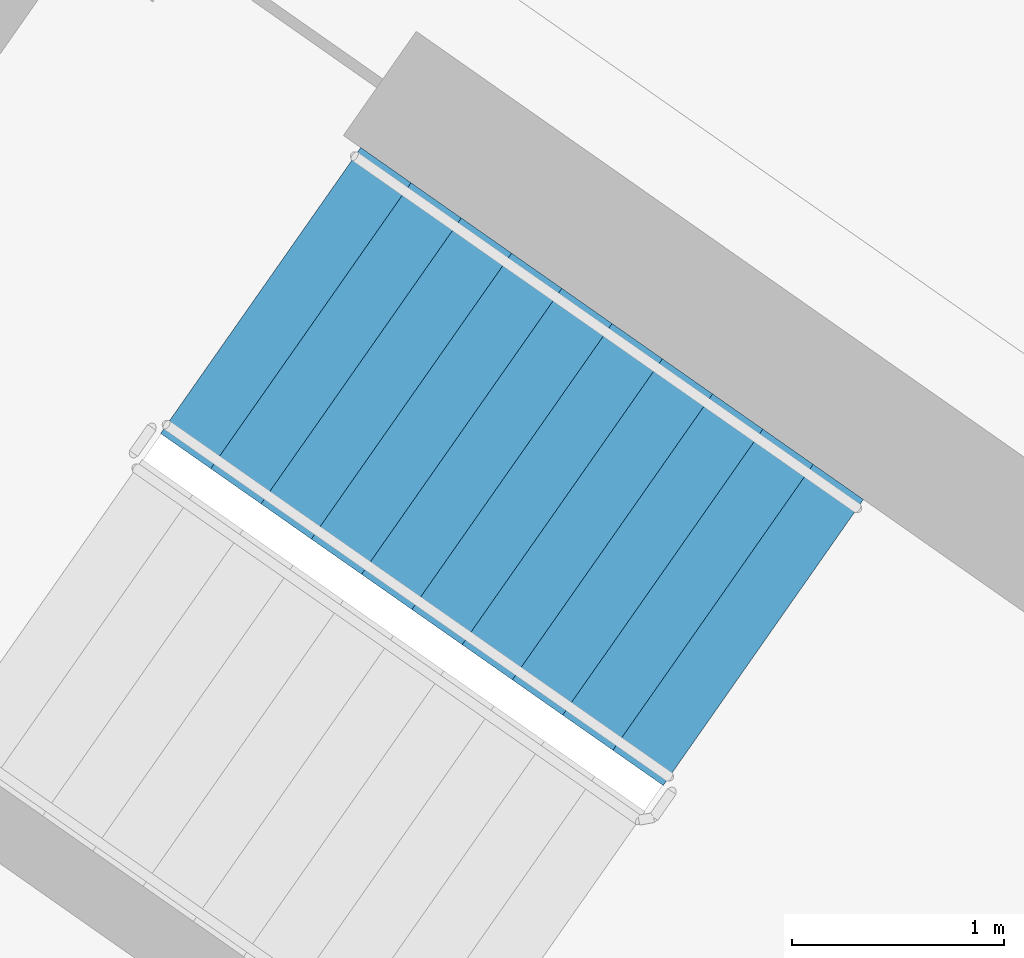
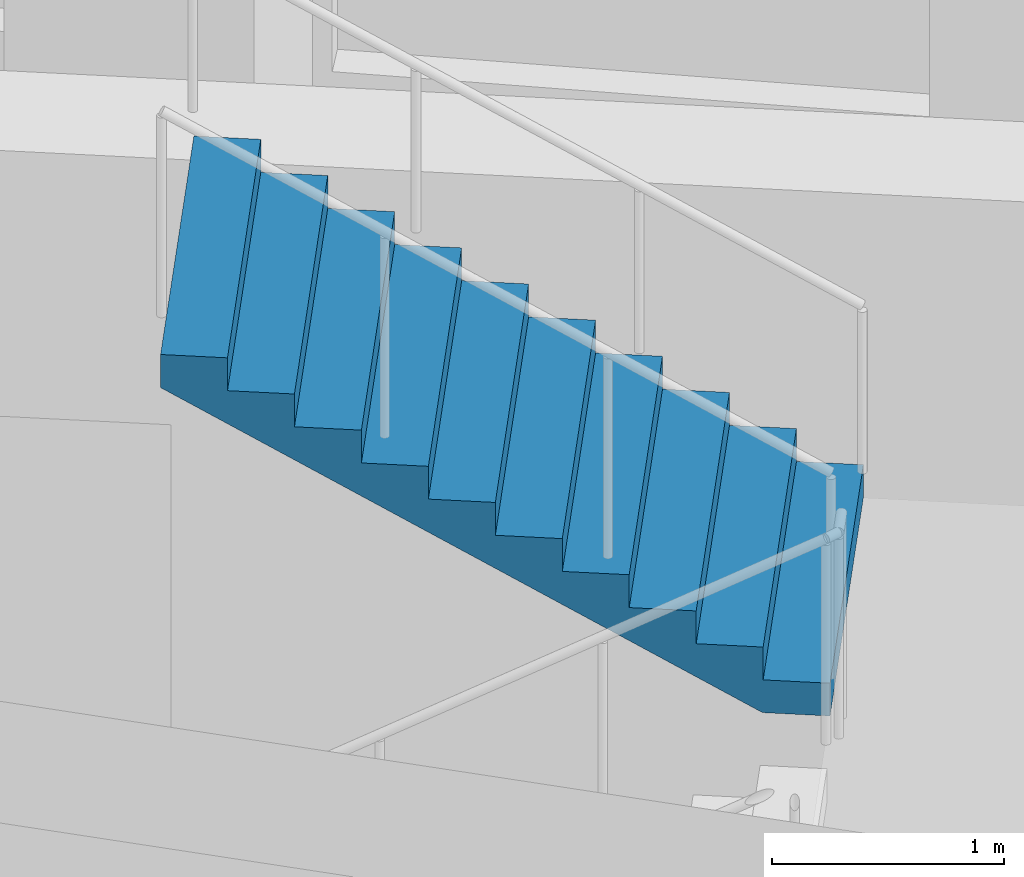
# One storey, part 13 of 27: 1 stair flight, 1 element without a shape of its own.
"""IFC4 building model written with IfcOpenShell, lengths in metres."""

import ifcopenshell
import ifcopenshell.guid

model = None  # the IFC model being written
_history = None  # IfcOwnerHistory: only IFC2X3 demands one
_inside = {}  # id of a spatial element -> (the spatial element, [elements in it])
_under = {}  # id of a project, library or spatial element -> (it, [spatial elements below it])
_declared = {}  # id of a project -> (the project, [libraries it declares])
_typed = {}  # id of a type object -> (the type object, [elements of that type])
_made_of = {}  # id of a material, layer set ... -> (it, [elements and type objects made of it])


def new_model(schema):
    """Start an empty IFC model of exactly this schema.

    Asked for "IFC4X3", IfcOpenShell would pick the latest addendum, in which some entities
    have other attributes; the version numbers below select the first issue.
    IFC2X3 requires an IfcOwnerHistory on every rooted entity: one is made here for all.
    """
    global model, _history
    if schema == "IFC4X3":
        model = ifcopenshell.file(schema_version=(4, 3, 0, 0))
    else:
        model = ifcopenshell.file(schema=schema)
    _inside.clear()
    _under.clear()
    _declared.clear()
    _typed.clear()
    _made_of.clear()
    _history = None
    if model.schema == "IFC2X3":
        org = make("IfcOrganization", Name="unknown")
        user = make(
            "IfcPersonAndOrganization",
            ThePerson=make("IfcPerson", FamilyName="unknown"),
            TheOrganization=org,
        )
        app = make(
            "IfcApplication",
            ApplicationDeveloper=org,
            Version="unknown",
            ApplicationFullName="unknown",
            ApplicationIdentifier="unknown",
        )
        _history = make(
            "IfcOwnerHistory",
            OwningUser=user,
            OwningApplication=app,
            ChangeAction="ADDED",
            CreationDate=0,
        )
    return model


def make(cls, **values):
    """One entity of the class cls with the attributes given. An attribute that is None is left unset."""
    return model.create_entity(
        cls, **{name: value for name, value in values.items() if value is not None}
    )


def rooted(cls, **values):
    """An entity with a GlobalId (a new one), such as an element, a storey or a relation."""
    return make(cls, GlobalId=ifcopenshell.guid.new(), OwnerHistory=_history, **values)


def si_unit(unit_type, name, prefix=None):
    """IfcSIUnit, for example si_unit("LENGTHUNIT", "METRE", prefix="MILLI")."""
    return make("IfcSIUnit", UnitType=unit_type, Prefix=prefix, Name=name)


def assignment(units):
    """IfcUnitAssignment: the units of a project."""
    return None if units is None else make("IfcUnitAssignment", Units=units)


def point(xyz):
    """IfcCartesianPoint."""
    return None if xyz is None else make("IfcCartesianPoint", Coordinates=xyz)


def direction(xyz):
    """IfcDirection."""
    return None if xyz is None else make("IfcDirection", DirectionRatios=xyz)


def frame(location, z_axis=None, x_axis=None):
    """IfcAxis2Placement3D, a coordinate frame: its origin and axes. An axis left out is left unset."""
    return make(
        "IfcAxis2Placement3D",
        Location=point(location),
        Axis=direction(z_axis),
        RefDirection=direction(x_axis),
    )


def origin():
    """The frame at (0, 0, 0) with its axes left unset."""
    return frame((0.0, 0.0, 0.0))


def place(relative_to, where):
    """IfcLocalPlacement: puts the frame where relative to a parent placement (None: the world)."""
    return make(
        "IfcLocalPlacement", PlacementRelTo=relative_to, RelativePlacement=where
    )


def context(
    kind, dimensions, precision=None, world=None, true_north=None, identifier=None
):
    """IfcGeometricRepresentationContext, for example the 3D "Model" context."""
    return make(
        "IfcGeometricRepresentationContext",
        ContextIdentifier=identifier,
        ContextType=kind,
        CoordinateSpaceDimension=dimensions,
        Precision=precision,
        WorldCoordinateSystem=world,
        TrueNorth=true_north,
    )


def subcontext(parent, identifier, kind, view, scale=None):
    """IfcGeometricRepresentationSubContext, for example "Body" below "Model"."""
    return make(
        "IfcGeometricRepresentationSubContext",
        ContextIdentifier=identifier,
        ContextType=kind,
        ParentContext=parent,
        TargetScale=scale,
        TargetView=view,
    )


def project(units=None, contexts=None):
    """IfcProject with its units and contexts."""
    return rooted(
        "IfcProject",
        Name="project",
        RepresentationContexts=contexts,
        UnitsInContext=assignment(units),
    )


def spatial(cls, under=None, at=None, **own):
    """A site, building, storey or space (cls), placed at a placement, below another one or the project."""
    s = rooted(cls, ObjectPlacement=at, **own)
    if under is not None:
        _under.setdefault(under.id(), (under, []))[1].append(s)
    return s


def faces_of(points, faces, orient=None, outer=None):
    """IfcFace entities. A face is a list of loops; a loop is a list of indices into points, from 0.

    orient and outer hold one flag for each loop. By default every Orientation is true, the
    first loop of a face is its IfcFaceOuterBound and the others are IfcFaceBound.
    """
    made = []
    for i, loops in enumerate(faces):
        bounds = []
        for j, loop in enumerate(loops):
            is_outer = j == 0 if outer is None else outer[i][j]
            bounds.append(
                make(
                    "IfcFaceOuterBound" if is_outer else "IfcFaceBound",
                    Bound=make("IfcPolyLoop", Polygon=[points[k] for k in loop]),
                    Orientation=True if orient is None else orient[i][j],
                )
            )
        made.append(make("IfcFace", Bounds=bounds))
    return made


def faceted_brep(points, faces, orient=None, outer=None, voids=None):
    """IfcFacetedBrep: a solid bounded by flat faces; with voids (closed shells), ...WithVoids."""
    shared = [point(p) for p in points]
    hull = make("IfcClosedShell", CfsFaces=faces_of(shared, faces, orient, outer))
    if voids is None:
        return make("IfcFacetedBrep", Outer=hull)
    return make(
        "IfcFacetedBrepWithVoids",
        Outer=hull,
        Voids=[
            make(cls, CfsFaces=faces_of(shared, fs, o, b)) for cls, fs, o, b in voids
        ],
    )


def shape(context_of_items, identifier, shape_type, items):
    """IfcShapeRepresentation: the items that make up one representation, for example the "Body"."""
    return make(
        "IfcShapeRepresentation",
        ContextOfItems=context_of_items,
        RepresentationIdentifier=identifier,
        RepresentationType=shape_type,
        Items=items,
    )


def material(Name=None, Category=None):
    """IfcMaterial."""
    return make("IfcMaterial", Name=Name, Category=Category)


def made_of(thing, what):
    """Note that an element or type object is made of a material, layer set ...; save() writes the relation."""
    if what is not None:
        _made_of.setdefault(what.id(), (what, []))[1].append(thing)
    return thing


def type_object(cls, material=None, **own):
    """A type object (cls), such as IfcWallType, which elements share."""
    return made_of(rooted(cls, **own), material)


def element(
    cls,
    number,
    at=None,
    inside=None,
    cuts=None,
    type_object=None,
    material=None,
    context=None,
    identifier="Body",
    shape_type=None,
    held_by="IfcProductDefinitionShape",
    body=None,
    shapes=None,
    **own,
):
    """One element of the class cls, such as IfcWall. Its Tag is "e" and its number.

    at: its placement. inside: the storey or other place that contains it. cuts: it is an
    opening in that element (IfcRelVoidsElement). A single representation is given by context,
    identifier, shape_type and body (its items); several are given by shapes. held_by: the class
    of the entity that holds the representations. save() writes the other relations.
    """
    e = rooted(cls, Tag="e%d" % number, ObjectPlacement=at, **own)
    if body is not None:
        shapes = [shape(context, identifier, shape_type, body)]
    if shapes is not None:
        e.Representation = make(held_by, Representations=shapes)
    if inside is not None:
        _inside.setdefault(inside.id(), (inside, []))[1].append(e)
    if cuts is not None:
        rooted(
            "IfcRelVoidsElement", RelatingBuildingElement=cuts, RelatedOpeningElement=e
        )
    if type_object is not None:
        _typed.setdefault(type_object.id(), (type_object, []))[1].append(e)
    return made_of(e, material)


def aggregate(whole, parts):
    """IfcRelAggregates: a whole, such as a stair, and the parts it consists of."""
    return rooted("IfcRelAggregates", RelatingObject=whole, RelatedObjects=parts)


def save(model, path):
    """Write the relations noted so far, then the file.

    IfcRelAggregates (storeys below a building ...), IfcRelContainedInSpatialStructure (elements
    in a storey), IfcRelDefinesByType, IfcRelAssociatesMaterial and IfcRelDeclares: one each for
    every whole, place, type object, material and project.
    """
    for whole, parts in _under.values():
        aggregate(whole, parts)
    for where, things in _inside.values():
        rooted(
            "IfcRelContainedInSpatialStructure",
            RelatedElements=things,
            RelatingStructure=where,
        )
    for kind, things in _typed.values():
        rooted("IfcRelDefinesByType", RelatedObjects=things, RelatingType=kind)
    for what, things in _made_of.values():
        rooted("IfcRelAssociatesMaterial", RelatedObjects=things, RelatingMaterial=what)
    for by, libraries in _declared.values():
        rooted("IfcRelDeclares", RelatingContext=by, RelatedDefinitions=libraries)
    model.write(path)


model = new_model("IFC4")

# Units and contexts
model_context = context("Model", 3, precision=1e-05, world=origin(), true_north=direction((0.0, 1.0)))
body_context = subcontext(model_context, "Body", "Model", "MODEL_VIEW")
ifc_project = project(units=[si_unit("LENGTHUNIT", "METRE"), si_unit("AREAUNIT", "SQUARE_METRE"), si_unit("VOLUMEUNIT", "CUBIC_METRE"), si_unit("PLANEANGLEUNIT", "RADIAN"), si_unit("MASSUNIT", "GRAM", prefix="KILO")], contexts=[model_context])

# Site, building, storey
site_placement = place(None, origin())
site = spatial("IfcSite", under=ifc_project, at=site_placement, CompositionType="ELEMENT")
building_placement = place(site_placement, origin())
building = spatial("IfcBuilding", under=site, at=building_placement, Name="Qamariyya Broadcast Tower", CompositionType="ELEMENT")
storey_placement = place(building_placement, frame((0.0, 0.0, 175.89990234375)))
storey = spatial("IfcBuildingStorey", under=building, at=storey_placement, Name="L41", CompositionType="ELEMENT", Elevation=175.89990234375)

# Stair, stair flight
ifc_material = material(Name="Concrete C50/60", Category="concrete")
stair_type = type_object("IfcStairType", Name="Exit stair 22 risers of 173 mm", PredefinedType="HALF_TURN_STAIR", material=ifc_material)
stair_placement = place(storey_placement, origin())
stair = element("IfcStair", 1, at=stair_placement, inside=storey, type_object=stair_type, Name="L41 Stair W2", PredefinedType="HALF_TURN_STAIR")
stair_flight_type = type_object("IfcStairFlightType", Name="Exit stair flight 11 risers of 173 mm", PredefinedType="STRAIGHT", material=ifc_material)
stair_flight_placement = place(storey_placement, frame((-38.18310546875, -49.3486328125, 1.900146484375), z_axis=(0.0, 0.0, 1.0), x_axis=(-0.819152044289, 0.573576436351, 0.0)))
stair_flight = element("IfcStairFlight", 2, at=stair_flight_placement, type_object=stair_flight_type, Name="ST-W2 flight 2", NumberOfRisers=11, NumberOfTreads=10, PredefinedType="STRAIGHT", RiserHeight=0.172727273, TreadLength=0.29, context=body_context, shape_type="Brep", body=[
    faceted_brep([(0.0, 0.824951171875, 0.0), (0.0, 0.824951171875, 0.172607421875), (0.2900390625, 0.824951171875, 0.172607421875), (0.2900390625, 0.824951171875, 0.345458984375), (0.580078125, 0.824951171875, 0.345458984375), (0.580078125, 0.824951171875, 0.51806640625), (0.8701171875, 0.824951171875, 0.51806640625), (0.8701171875, 0.824951171875, 0.69091796875), (1.159912109375, 0.824951171875, 0.69091796875), (1.159912109375, 0.824951171875, 0.863525390625), (1.449951171875, 0.824951171875, 0.863525390625), (1.449951171875, 0.824951171875, 1.036376953125), (1.739990234375, 0.824951171875, 1.036376953125), (1.739990234375, 0.824951171875, 1.208984375), (2.030029296875, 0.824951171875, 1.208984375), (2.030029296875, 0.824951171875, 1.3818359375), (2.320068359375, 0.824951171875, 1.3818359375), (2.320068359375, 0.824951171875, 1.554443359375), (2.610107421875, 0.824951171875, 1.554443359375), (2.610107421875, 0.824951171875, 1.727294921875), (2.89990234375, 0.824951171875, 1.727294921875), (2.89990234375, 0.824951171875, 1.552734375), (0.29296875, 0.824951171875, 0.0), (0.29296875, -0.824951171875, 0.0), (2.89990234375, -0.824951171875, 1.552734375), (2.89990234375, -0.824951171875, 1.727294921875), (2.610107421875, -0.824951171875, 1.727294921875), (2.610107421875, -0.824951171875, 1.554443359375), (2.320068359375, -0.824951171875, 1.554443359375), (2.320068359375, -0.824951171875, 1.3818359375), (2.030029296875, -0.824951171875, 1.3818359375), (2.030029296875, -0.824951171875, 1.208984375), (1.739990234375, -0.824951171875, 1.208984375), (1.739990234375, -0.824951171875, 1.036376953125), (1.449951171875, -0.824951171875, 1.036376953125), (1.449951171875, -0.824951171875, 0.863525390625), (1.159912109375, -0.824951171875, 0.863525390625), (1.159912109375, -0.824951171875, 0.69091796875), (0.8701171875, -0.824951171875, 0.69091796875), (0.8701171875, -0.824951171875, 0.51806640625), (0.580078125, -0.824951171875, 0.51806640625), (0.580078125, -0.824951171875, 0.345458984375), (0.2900390625, -0.824951171875, 0.345458984375), (0.2900390625, -0.824951171875, 0.172607421875), (0.0, -0.824951171875, 0.172607421875), (0.0, -0.824951171875, 0.0), (0.0, 0.10009765625, 0.0), (0.0, 0.086669921875, 0.0), (0.0, 0.0732421875, 0.0), (0.0, 0.06005859375, 0.0), (0.0, 0.046630859375, 0.0), (0.0, 0.033447265625, 0.0), (0.0, 0.02001953125, 0.0), (0.0, 0.006591796875, 0.0), (0.0, -0.006591796875, 0.0), (0.0, -0.02001953125, 0.0), (0.0, -0.033447265625, 0.0), (0.0, -0.046630859375, 0.0), (0.0, -0.06005859375, 0.0), (0.0, -0.0732421875, 0.0), (0.0, -0.086669921875, 0.0), (0.0, -0.10009765625, 0.0), (0.0, -0.10009765625, 0.172607421875), (0.0, -0.086669921875, 0.172607421875), (0.0, -0.0732421875, 0.172607421875), (0.0, -0.06005859375, 0.172607421875), (0.0, -0.046630859375, 0.172607421875), (0.0, -0.033447265625, 0.172607421875), (0.0, -0.02001953125, 0.172607421875), (0.0, -0.006591796875, 0.172607421875), (0.0, 0.006591796875, 0.172607421875), (0.0, 0.02001953125, 0.172607421875), (0.0, 0.033447265625, 0.172607421875), (0.0, 0.046630859375, 0.172607421875), (0.0, 0.06005859375, 0.172607421875), (0.0, 0.0732421875, 0.172607421875), (0.0, 0.086669921875, 0.172607421875), (0.0, 0.10009765625, 0.172607421875), (0.2900390625, -0.10009765625, 0.172607421875), (0.2900390625, -0.086669921875, 0.172607421875), (0.2900390625, -0.0732421875, 0.172607421875), (0.2900390625, -0.06005859375, 0.172607421875), (0.2900390625, -0.046630859375, 0.172607421875), (0.2900390625, -0.033447265625, 0.172607421875), (0.2900390625, -0.02001953125, 0.172607421875), (0.2900390625, -0.006591796875, 0.172607421875), (0.2900390625, 0.006591796875, 0.172607421875), (0.2900390625, 0.02001953125, 0.172607421875), (0.2900390625, 0.033447265625, 0.172607421875), (0.2900390625, 0.046630859375, 0.172607421875), (0.2900390625, 0.06005859375, 0.172607421875), (0.2900390625, 0.0732421875, 0.172607421875), (0.2900390625, 0.086669921875, 0.172607421875), (0.2900390625, 0.10009765625, 0.172607421875), (0.2900390625, -0.10009765625, 0.345458984375), (0.2900390625, -0.086669921875, 0.345458984375), (0.2900390625, -0.0732421875, 0.345458984375), (0.2900390625, -0.06005859375, 0.345458984375), (0.2900390625, -0.046630859375, 0.345458984375), (0.2900390625, -0.033447265625, 0.345458984375), (0.2900390625, -0.02001953125, 0.345458984375), (0.2900390625, -0.006591796875, 0.345458984375), (0.2900390625, 0.006591796875, 0.345458984375), (0.2900390625, 0.02001953125, 0.345458984375), (0.2900390625, 0.033447265625, 0.345458984375), (0.2900390625, 0.046630859375, 0.345458984375), (0.2900390625, 0.06005859375, 0.345458984375), (0.2900390625, 0.0732421875, 0.345458984375), (0.2900390625, 0.086669921875, 0.345458984375), (0.2900390625, 0.10009765625, 0.345458984375), (0.580078125, -0.10009765625, 0.345458984375), (0.580078125, -0.086669921875, 0.345458984375), (0.580078125, -0.0732421875, 0.345458984375), (0.580078125, -0.06005859375, 0.345458984375), (0.580078125, -0.046630859375, 0.345458984375), (0.580078125, -0.033447265625, 0.345458984375), (0.580078125, -0.02001953125, 0.345458984375), (0.580078125, -0.006591796875, 0.345458984375), (0.580078125, 0.006591796875, 0.345458984375), (0.580078125, 0.02001953125, 0.345458984375), (0.580078125, 0.033447265625, 0.345458984375), (0.580078125, 0.046630859375, 0.345458984375), (0.580078125, 0.06005859375, 0.345458984375), (0.580078125, 0.0732421875, 0.345458984375), (0.580078125, 0.086669921875, 0.345458984375), (0.580078125, 0.10009765625, 0.345458984375), (0.580078125, -0.10009765625, 0.51806640625), (0.580078125, -0.086669921875, 0.51806640625), (0.580078125, -0.0732421875, 0.51806640625), (0.580078125, -0.06005859375, 0.51806640625), (0.580078125, -0.046630859375, 0.51806640625), (0.580078125, -0.033447265625, 0.51806640625), (0.580078125, -0.02001953125, 0.51806640625), (0.580078125, -0.006591796875, 0.51806640625), (0.580078125, 0.006591796875, 0.51806640625), (0.580078125, 0.02001953125, 0.51806640625), (0.580078125, 0.033447265625, 0.51806640625), (0.580078125, 0.046630859375, 0.51806640625), (0.580078125, 0.06005859375, 0.51806640625), (0.580078125, 0.0732421875, 0.51806640625), (0.580078125, 0.086669921875, 0.51806640625), (0.580078125, 0.10009765625, 0.51806640625), (0.8701171875, -0.10009765625, 0.51806640625), (0.8701171875, -0.086669921875, 0.51806640625), (0.8701171875, -0.0732421875, 0.51806640625), (0.8701171875, -0.06005859375, 0.51806640625), (0.8701171875, -0.046630859375, 0.51806640625), (0.8701171875, -0.033447265625, 0.51806640625), (0.8701171875, -0.02001953125, 0.51806640625), (0.8701171875, -0.006591796875, 0.51806640625), (0.8701171875, 0.006591796875, 0.51806640625), (0.8701171875, 0.02001953125, 0.51806640625), (0.8701171875, 0.033447265625, 0.51806640625), (0.8701171875, 0.046630859375, 0.51806640625), (0.8701171875, 0.06005859375, 0.51806640625), (0.8701171875, 0.0732421875, 0.51806640625), (0.8701171875, 0.086669921875, 0.51806640625), (0.8701171875, 0.10009765625, 0.51806640625), (0.8701171875, -0.10009765625, 0.69091796875), (0.8701171875, -0.086669921875, 0.69091796875), (0.8701171875, -0.0732421875, 0.69091796875), (0.8701171875, -0.06005859375, 0.69091796875), (0.8701171875, -0.046630859375, 0.69091796875), (0.8701171875, -0.033447265625, 0.69091796875), (0.8701171875, -0.02001953125, 0.69091796875), (0.8701171875, -0.006591796875, 0.69091796875), (0.8701171875, 0.006591796875, 0.69091796875), (0.8701171875, 0.02001953125, 0.69091796875), (0.8701171875, 0.033447265625, 0.69091796875), (0.8701171875, 0.046630859375, 0.69091796875), (0.8701171875, 0.06005859375, 0.69091796875), (0.8701171875, 0.0732421875, 0.69091796875), (0.8701171875, 0.086669921875, 0.69091796875), (0.8701171875, 0.10009765625, 0.69091796875), (1.159912109375, -0.10009765625, 0.69091796875), (1.159912109375, -0.086669921875, 0.69091796875), (1.159912109375, -0.0732421875, 0.69091796875), (1.159912109375, -0.06005859375, 0.69091796875), (1.159912109375, -0.046630859375, 0.69091796875), (1.159912109375, -0.033447265625, 0.69091796875), (1.159912109375, -0.02001953125, 0.69091796875), (1.159912109375, -0.006591796875, 0.69091796875), (1.159912109375, 0.006591796875, 0.69091796875), (1.159912109375, 0.02001953125, 0.69091796875), (1.159912109375, 0.033447265625, 0.69091796875), (1.159912109375, 0.046630859375, 0.69091796875), (1.159912109375, 0.06005859375, 0.69091796875), (1.159912109375, 0.0732421875, 0.69091796875), (1.159912109375, 0.086669921875, 0.69091796875), (1.159912109375, 0.10009765625, 0.69091796875), (1.159912109375, -0.10009765625, 0.863525390625), (1.159912109375, -0.086669921875, 0.863525390625), (1.159912109375, -0.0732421875, 0.863525390625), (1.159912109375, -0.06005859375, 0.863525390625), (1.159912109375, -0.046630859375, 0.863525390625), (1.159912109375, -0.033447265625, 0.863525390625), (1.159912109375, -0.02001953125, 0.863525390625), (1.159912109375, -0.006591796875, 0.863525390625), (1.159912109375, 0.006591796875, 0.863525390625), (1.159912109375, 0.02001953125, 0.863525390625), (1.159912109375, 0.033447265625, 0.863525390625), (1.159912109375, 0.046630859375, 0.863525390625), (1.159912109375, 0.06005859375, 0.863525390625), (1.159912109375, 0.0732421875, 0.863525390625), (1.159912109375, 0.086669921875, 0.863525390625), (1.159912109375, 0.10009765625, 0.863525390625), (1.449951171875, -0.10009765625, 0.863525390625), (1.449951171875, -0.086669921875, 0.863525390625), (1.449951171875, -0.0732421875, 0.863525390625), (1.449951171875, -0.06005859375, 0.863525390625), (1.449951171875, -0.046630859375, 0.863525390625), (1.449951171875, -0.033447265625, 0.863525390625), (1.449951171875, -0.02001953125, 0.863525390625), (1.449951171875, -0.006591796875, 0.863525390625), (1.449951171875, 0.006591796875, 0.863525390625), (1.449951171875, 0.02001953125, 0.863525390625), (1.449951171875, 0.033447265625, 0.863525390625), (1.449951171875, 0.046630859375, 0.863525390625), (1.449951171875, 0.06005859375, 0.863525390625), (1.449951171875, 0.0732421875, 0.863525390625), (1.449951171875, 0.086669921875, 0.863525390625), (1.449951171875, 0.10009765625, 0.863525390625), (1.449951171875, -0.10009765625, 1.036376953125), (1.449951171875, -0.086669921875, 1.036376953125), (1.449951171875, -0.0732421875, 1.036376953125), (1.449951171875, -0.06005859375, 1.036376953125), (1.449951171875, -0.046630859375, 1.036376953125), (1.449951171875, -0.033447265625, 1.036376953125), (1.449951171875, -0.02001953125, 1.036376953125), (1.449951171875, -0.006591796875, 1.036376953125), (1.449951171875, 0.006591796875, 1.036376953125), (1.449951171875, 0.02001953125, 1.036376953125), (1.449951171875, 0.033447265625, 1.036376953125), (1.449951171875, 0.046630859375, 1.036376953125), (1.449951171875, 0.06005859375, 1.036376953125), (1.449951171875, 0.0732421875, 1.036376953125), (1.449951171875, 0.086669921875, 1.036376953125), (1.449951171875, 0.10009765625, 1.036376953125), (1.739990234375, -0.10009765625, 1.036376953125), (1.739990234375, -0.086669921875, 1.036376953125), (1.739990234375, -0.0732421875, 1.036376953125), (1.739990234375, -0.06005859375, 1.036376953125), (1.739990234375, -0.046630859375, 1.036376953125), (1.739990234375, -0.033447265625, 1.036376953125), (1.739990234375, -0.02001953125, 1.036376953125), (1.739990234375, -0.006591796875, 1.036376953125), (1.739990234375, 0.006591796875, 1.036376953125), (1.739990234375, 0.02001953125, 1.036376953125), (1.739990234375, 0.033447265625, 1.036376953125), (1.739990234375, 0.046630859375, 1.036376953125), (1.739990234375, 0.06005859375, 1.036376953125), (1.739990234375, 0.0732421875, 1.036376953125), (1.739990234375, 0.086669921875, 1.036376953125), (1.739990234375, 0.10009765625, 1.036376953125), (1.739990234375, -0.10009765625, 1.208984375), (1.739990234375, -0.086669921875, 1.208984375), (1.739990234375, -0.0732421875, 1.208984375), (1.739990234375, -0.06005859375, 1.208984375), (1.739990234375, -0.046630859375, 1.208984375), (1.739990234375, -0.033447265625, 1.208984375), (1.739990234375, -0.02001953125, 1.208984375), (1.739990234375, -0.006591796875, 1.208984375), (1.739990234375, 0.006591796875, 1.208984375), (1.739990234375, 0.02001953125, 1.208984375), (1.739990234375, 0.033447265625, 1.208984375), (1.739990234375, 0.046630859375, 1.208984375), (1.739990234375, 0.06005859375, 1.208984375), (1.739990234375, 0.0732421875, 1.208984375), (1.739990234375, 0.086669921875, 1.208984375), (1.739990234375, 0.10009765625, 1.208984375), (2.030029296875, -0.10009765625, 1.208984375), (2.030029296875, -0.086669921875, 1.208984375), (2.030029296875, -0.0732421875, 1.208984375), (2.030029296875, -0.06005859375, 1.208984375), (2.030029296875, -0.046630859375, 1.208984375), (2.030029296875, -0.033447265625, 1.208984375), (2.030029296875, -0.02001953125, 1.208984375), (2.030029296875, -0.006591796875, 1.208984375), (2.030029296875, 0.006591796875, 1.208984375), (2.030029296875, 0.02001953125, 1.208984375), (2.030029296875, 0.033447265625, 1.208984375), (2.030029296875, 0.046630859375, 1.208984375), (2.030029296875, 0.06005859375, 1.208984375), (2.030029296875, 0.0732421875, 1.208984375), (2.030029296875, 0.086669921875, 1.208984375), (2.030029296875, 0.10009765625, 1.208984375), (2.030029296875, -0.10009765625, 1.3818359375), (2.030029296875, -0.086669921875, 1.3818359375), (2.030029296875, -0.0732421875, 1.3818359375), (2.030029296875, -0.06005859375, 1.3818359375), (2.030029296875, -0.046630859375, 1.3818359375), (2.030029296875, -0.033447265625, 1.3818359375), (2.030029296875, -0.02001953125, 1.3818359375), (2.030029296875, -0.006591796875, 1.3818359375), (2.030029296875, 0.006591796875, 1.3818359375), (2.030029296875, 0.02001953125, 1.3818359375), (2.030029296875, 0.033447265625, 1.3818359375), (2.030029296875, 0.046630859375, 1.3818359375), (2.030029296875, 0.06005859375, 1.3818359375), (2.030029296875, 0.0732421875, 1.3818359375), (2.030029296875, 0.086669921875, 1.3818359375), (2.030029296875, 0.10009765625, 1.3818359375), (2.320068359375, -0.10009765625, 1.3818359375), (2.320068359375, -0.086669921875, 1.3818359375), (2.320068359375, -0.0732421875, 1.3818359375), (2.320068359375, -0.06005859375, 1.3818359375), (2.320068359375, -0.046630859375, 1.3818359375), (2.320068359375, -0.033447265625, 1.3818359375), (2.320068359375, -0.02001953125, 1.3818359375), (2.320068359375, -0.006591796875, 1.3818359375), (2.320068359375, 0.006591796875, 1.3818359375), (2.320068359375, 0.02001953125, 1.3818359375), (2.320068359375, 0.033447265625, 1.3818359375), (2.320068359375, 0.046630859375, 1.3818359375), (2.320068359375, 0.06005859375, 1.3818359375), (2.320068359375, 0.0732421875, 1.3818359375), (2.320068359375, 0.086669921875, 1.3818359375), (2.320068359375, 0.10009765625, 1.3818359375), (2.320068359375, -0.10009765625, 1.554443359375), (2.320068359375, -0.086669921875, 1.554443359375), (2.320068359375, -0.0732421875, 1.554443359375), (2.320068359375, -0.06005859375, 1.554443359375), (2.320068359375, -0.046630859375, 1.554443359375), (2.320068359375, -0.033447265625, 1.554443359375), (2.320068359375, -0.02001953125, 1.554443359375), (2.320068359375, -0.006591796875, 1.554443359375), (2.320068359375, 0.006591796875, 1.554443359375), (2.320068359375, 0.02001953125, 1.554443359375), (2.320068359375, 0.033447265625, 1.554443359375), (2.320068359375, 0.046630859375, 1.554443359375), (2.320068359375, 0.06005859375, 1.554443359375), (2.320068359375, 0.0732421875, 1.554443359375), (2.320068359375, 0.086669921875, 1.554443359375), (2.320068359375, 0.10009765625, 1.554443359375), (2.610107421875, -0.10009765625, 1.554443359375), (2.610107421875, -0.086669921875, 1.554443359375), (2.610107421875, -0.0732421875, 1.554443359375), (2.610107421875, -0.06005859375, 1.554443359375), (2.610107421875, -0.046630859375, 1.554443359375), (2.610107421875, -0.033447265625, 1.554443359375), (2.610107421875, -0.02001953125, 1.554443359375), (2.610107421875, -0.006591796875, 1.554443359375), (2.610107421875, 0.006591796875, 1.554443359375), (2.610107421875, 0.02001953125, 1.554443359375), (2.610107421875, 0.033447265625, 1.554443359375), (2.610107421875, 0.046630859375, 1.554443359375), (2.610107421875, 0.06005859375, 1.554443359375), (2.610107421875, 0.0732421875, 1.554443359375), (2.610107421875, 0.086669921875, 1.554443359375), (2.610107421875, 0.10009765625, 1.554443359375), (2.610107421875, -0.10009765625, 1.727294921875), (2.610107421875, -0.086669921875, 1.727294921875), (2.610107421875, -0.0732421875, 1.727294921875), (2.610107421875, -0.06005859375, 1.727294921875), (2.610107421875, -0.046630859375, 1.727294921875), (2.610107421875, -0.033447265625, 1.727294921875), (2.610107421875, -0.02001953125, 1.727294921875), (2.610107421875, -0.006591796875, 1.727294921875), (2.610107421875, 0.006591796875, 1.727294921875), (2.610107421875, 0.02001953125, 1.727294921875), (2.610107421875, 0.033447265625, 1.727294921875), (2.610107421875, 0.046630859375, 1.727294921875), (2.610107421875, 0.06005859375, 1.727294921875), (2.610107421875, 0.0732421875, 1.727294921875), (2.610107421875, 0.086669921875, 1.727294921875), (2.610107421875, 0.10009765625, 1.727294921875), (2.89990234375, -0.10009765625, 1.727294921875), (2.89990234375, -0.086669921875, 1.727294921875), (2.89990234375, -0.0732421875, 1.727294921875), (2.89990234375, -0.06005859375, 1.727294921875), (2.89990234375, -0.046630859375, 1.727294921875), (2.89990234375, -0.033447265625, 1.727294921875), (2.89990234375, -0.02001953125, 1.727294921875), (2.89990234375, -0.006591796875, 1.727294921875), (2.89990234375, 0.006591796875, 1.727294921875), (2.89990234375, 0.02001953125, 1.727294921875), (2.89990234375, 0.033447265625, 1.727294921875), (2.89990234375, 0.046630859375, 1.727294921875), (2.89990234375, 0.06005859375, 1.727294921875), (2.89990234375, 0.0732421875, 1.727294921875), (2.89990234375, 0.086669921875, 1.727294921875), (2.89990234375, 0.10009765625, 1.727294921875), (2.89990234375, -0.10009765625, 1.552734375), (2.89990234375, -0.086669921875, 1.552734375), (2.89990234375, -0.0732421875, 1.552734375), (2.89990234375, -0.06005859375, 1.552734375), (2.89990234375, -0.046630859375, 1.552734375), (2.89990234375, -0.033447265625, 1.552734375), (2.89990234375, -0.02001953125, 1.552734375), (2.89990234375, -0.006591796875, 1.552734375), (2.89990234375, 0.006591796875, 1.552734375), (2.89990234375, 0.02001953125, 1.552734375), (2.89990234375, 0.033447265625, 1.552734375), (2.89990234375, 0.046630859375, 1.552734375), (2.89990234375, 0.06005859375, 1.552734375), (2.89990234375, 0.0732421875, 1.552734375), (2.89990234375, 0.086669921875, 1.552734375), (2.89990234375, 0.10009765625, 1.552734375), (0.29296875, -0.10009765625, 0.0), (0.29296875, -0.086669921875, 0.0), (0.29296875, -0.0732421875, 0.0), (0.29296875, -0.06005859375, 0.0), (0.29296875, -0.046630859375, 0.0), (0.29296875, -0.033447265625, 0.0), (0.29296875, -0.02001953125, 0.0), (0.29296875, -0.006591796875, 0.0), (0.29296875, 0.006591796875, 0.0), (0.29296875, 0.02001953125, 0.0), (0.29296875, 0.033447265625, 0.0), (0.29296875, 0.046630859375, 0.0), (0.29296875, 0.06005859375, 0.0), (0.29296875, 0.0732421875, 0.0), (0.29296875, 0.086669921875, 0.0), (0.29296875, 0.10009765625, 0.0)], [[[0, 1, 2, 3, 4, 5, 6, 7, 8, 9, 10, 11, 12, 13, 14, 15, 16, 17, 18, 19, 20, 21, 22]], [[23, 24, 25, 26, 27, 28, 29, 30, 31, 32, 33, 34, 35, 36, 37, 38, 39, 40, 41, 42, 43, 44, 45]], [[0, 46, 47, 48, 49, 50, 51, 52, 53, 54, 55, 56, 57, 58, 59, 60, 61, 45, 44, 62, 63, 64, 65, 66, 67, 68, 69, 70, 71, 72, 73, 74, 75, 76, 77, 1]], [[1, 77, 76, 75, 74, 73, 72, 71, 70, 69, 68, 67, 66, 65, 64, 63, 62, 44, 43, 78, 79, 80, 81, 82, 83, 84, 85, 86, 87, 88, 89, 90, 91, 92, 93, 2]], [[2, 93, 92, 91, 90, 89, 88, 87, 86, 85, 84, 83, 82, 81, 80, 79, 78, 43, 42, 94, 95, 96, 97, 98, 99, 100, 101, 102, 103, 104, 105, 106, 107, 108, 109, 3]], [[3, 109, 108, 107, 106, 105, 104, 103, 102, 101, 100, 99, 98, 97, 96, 95, 94, 42, 41, 110, 111, 112, 113, 114, 115, 116, 117, 118, 119, 120, 121, 122, 123, 124, 125, 4]], [[4, 125, 124, 123, 122, 121, 120, 119, 118, 117, 116, 115, 114, 113, 112, 111, 110, 41, 40, 126, 127, 128, 129, 130, 131, 132, 133, 134, 135, 136, 137, 138, 139, 140, 141, 5]], [[5, 141, 140, 139, 138, 137, 136, 135, 134, 133, 132, 131, 130, 129, 128, 127, 126, 40, 39, 142, 143, 144, 145, 146, 147, 148, 149, 150, 151, 152, 153, 154, 155, 156, 157, 6]], [[6, 157, 156, 155, 154, 153, 152, 151, 150, 149, 148, 147, 146, 145, 144, 143, 142, 39, 38, 158, 159, 160, 161, 162, 163, 164, 165, 166, 167, 168, 169, 170, 171, 172, 173, 7]], [[7, 173, 172, 171, 170, 169, 168, 167, 166, 165, 164, 163, 162, 161, 160, 159, 158, 38, 37, 174, 175, 176, 177, 178, 179, 180, 181, 182, 183, 184, 185, 186, 187, 188, 189, 8]], [[8, 189, 188, 187, 186, 185, 184, 183, 182, 181, 180, 179, 178, 177, 176, 175, 174, 37, 36, 190, 191, 192, 193, 194, 195, 196, 197, 198, 199, 200, 201, 202, 203, 204, 205, 9]], [[9, 205, 204, 203, 202, 201, 200, 199, 198, 197, 196, 195, 194, 193, 192, 191, 190, 36, 35, 206, 207, 208, 209, 210, 211, 212, 213, 214, 215, 216, 217, 218, 219, 220, 221, 10]], [[10, 221, 220, 219, 218, 217, 216, 215, 214, 213, 212, 211, 210, 209, 208, 207, 206, 35, 34, 222, 223, 224, 225, 226, 227, 228, 229, 230, 231, 232, 233, 234, 235, 236, 237, 11]], [[11, 237, 236, 235, 234, 233, 232, 231, 230, 229, 228, 227, 226, 225, 224, 223, 222, 34, 33, 238, 239, 240, 241, 242, 243, 244, 245, 246, 247, 248, 249, 250, 251, 252, 253, 12]], [[12, 253, 252, 251, 250, 249, 248, 247, 246, 245, 244, 243, 242, 241, 240, 239, 238, 33, 32, 254, 255, 256, 257, 258, 259, 260, 261, 262, 263, 264, 265, 266, 267, 268, 269, 13]], [[13, 269, 268, 267, 266, 265, 264, 263, 262, 261, 260, 259, 258, 257, 256, 255, 254, 32, 31, 270, 271, 272, 273, 274, 275, 276, 277, 278, 279, 280, 281, 282, 283, 284, 285, 14]], [[14, 285, 284, 283, 282, 281, 280, 279, 278, 277, 276, 275, 274, 273, 272, 271, 270, 31, 30, 286, 287, 288, 289, 290, 291, 292, 293, 294, 295, 296, 297, 298, 299, 300, 301, 15]], [[15, 301, 300, 299, 298, 297, 296, 295, 294, 293, 292, 291, 290, 289, 288, 287, 286, 30, 29, 302, 303, 304, 305, 306, 307, 308, 309, 310, 311, 312, 313, 314, 315, 316, 317, 16]], [[16, 317, 316, 315, 314, 313, 312, 311, 310, 309, 308, 307, 306, 305, 304, 303, 302, 29, 28, 318, 319, 320, 321, 322, 323, 324, 325, 326, 327, 328, 329, 330, 331, 332, 333, 17]], [[17, 333, 332, 331, 330, 329, 328, 327, 326, 325, 324, 323, 322, 321, 320, 319, 318, 28, 27, 334, 335, 336, 337, 338, 339, 340, 341, 342, 343, 344, 345, 346, 347, 348, 349, 18]], [[18, 349, 348, 347, 346, 345, 344, 343, 342, 341, 340, 339, 338, 337, 336, 335, 334, 27, 26, 350, 351, 352, 353, 354, 355, 356, 357, 358, 359, 360, 361, 362, 363, 364, 365, 19]], [[19, 365, 364, 363, 362, 361, 360, 359, 358, 357, 356, 355, 354, 353, 352, 351, 350, 26, 25, 366, 367, 368, 369, 370, 371, 372, 373, 374, 375, 376, 377, 378, 379, 380, 381, 20]], [[20, 381, 380, 379, 378, 377, 376, 375, 374, 373, 372, 371, 370, 369, 368, 367, 366, 25, 24, 382, 383, 384, 385, 386, 387, 388, 389, 390, 391, 392, 393, 394, 395, 396, 397, 21]], [[21, 397, 396, 395, 394, 393, 392, 391, 390, 389, 388, 387, 386, 385, 384, 383, 382, 24, 23, 398, 399, 400, 401, 402, 403, 404, 405, 406, 407, 408, 409, 410, 411, 412, 413, 22]], [[22, 413, 412, 411, 410, 409, 408, 407, 406, 405, 404, 403, 402, 401, 400, 399, 398, 23, 45, 61, 60, 59, 58, 57, 56, 55, 54, 53, 52, 51, 50, 49, 48, 47, 46, 0]]]),
])
aggregate(stair, [stair_flight])

save(model, "model.ifc")
